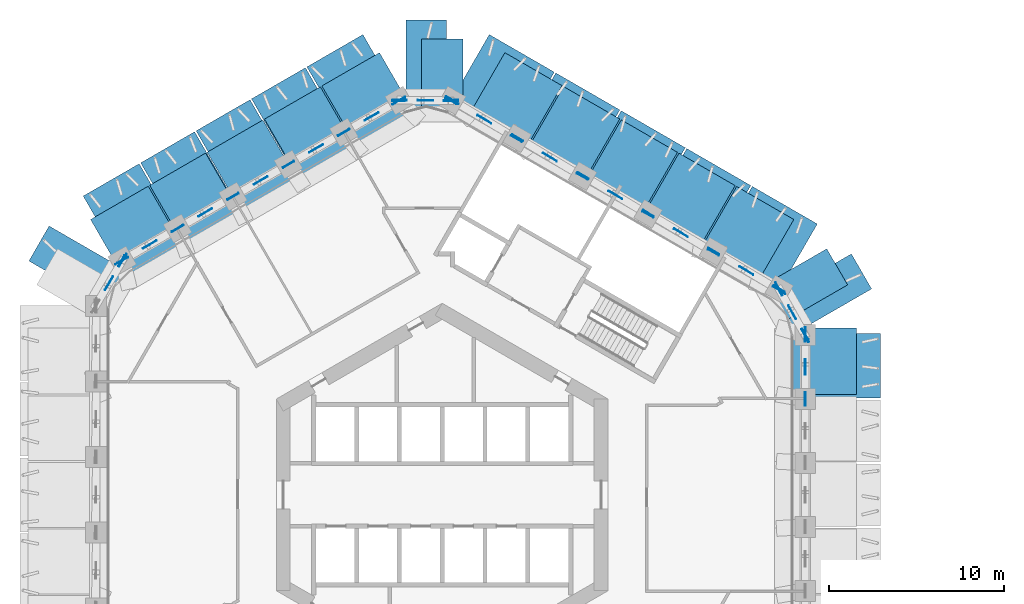
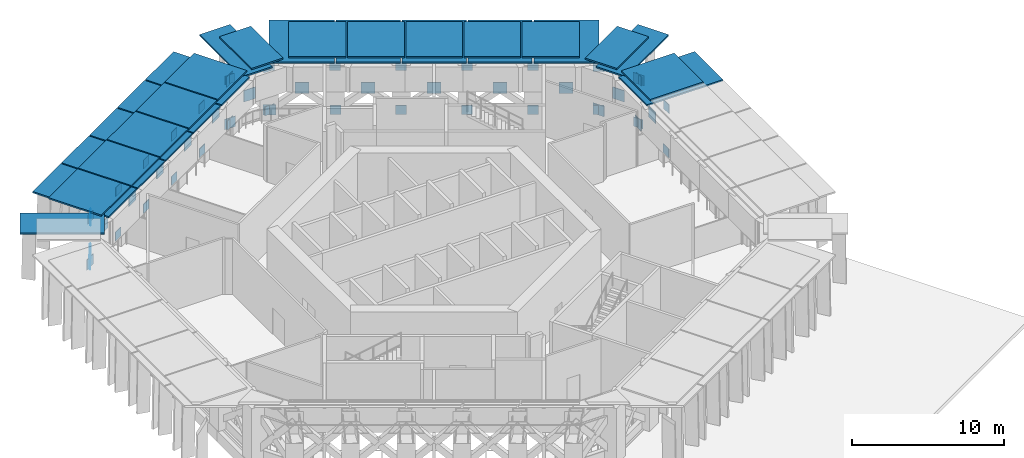
# One storey, part 10 of 16: 79 discrete accessories.
"""IFC4 building model written with IfcOpenShell, lengths in metres."""

import ifcopenshell
import ifcopenshell.guid

model = None  # the IFC model being written
_history = None  # IfcOwnerHistory: only IFC2X3 demands one
_inside = {}  # id of a spatial element -> (the spatial element, [elements in it])
_under = {}  # id of a project, library or spatial element -> (it, [spatial elements below it])
_declared = {}  # id of a project -> (the project, [libraries it declares])
_typed = {}  # id of a type object -> (the type object, [elements of that type])
_made_of = {}  # id of a material, layer set ... -> (it, [elements and type objects made of it])


def new_model(schema):
    """Start an empty IFC model of exactly this schema.

    Asked for "IFC4X3", IfcOpenShell would pick the latest addendum, in which some entities
    have other attributes; the version numbers below select the first issue.
    IFC2X3 requires an IfcOwnerHistory on every rooted entity: one is made here for all.
    """
    global model, _history
    if schema == "IFC4X3":
        model = ifcopenshell.file(schema_version=(4, 3, 0, 0))
    else:
        model = ifcopenshell.file(schema=schema)
    _inside.clear()
    _under.clear()
    _declared.clear()
    _typed.clear()
    _made_of.clear()
    _history = None
    if model.schema == "IFC2X3":
        org = make("IfcOrganization", Name="unknown")
        user = make(
            "IfcPersonAndOrganization",
            ThePerson=make("IfcPerson", FamilyName="unknown"),
            TheOrganization=org,
        )
        app = make(
            "IfcApplication",
            ApplicationDeveloper=org,
            Version="unknown",
            ApplicationFullName="unknown",
            ApplicationIdentifier="unknown",
        )
        _history = make(
            "IfcOwnerHistory",
            OwningUser=user,
            OwningApplication=app,
            ChangeAction="ADDED",
            CreationDate=0,
        )
    return model


def make(cls, **values):
    """One entity of the class cls with the attributes given. An attribute that is None is left unset."""
    return model.create_entity(
        cls, **{name: value for name, value in values.items() if value is not None}
    )


def rooted(cls, **values):
    """An entity with a GlobalId (a new one), such as an element, a storey or a relation."""
    return make(cls, GlobalId=ifcopenshell.guid.new(), OwnerHistory=_history, **values)


def si_unit(unit_type, name, prefix=None):
    """IfcSIUnit, for example si_unit("LENGTHUNIT", "METRE", prefix="MILLI")."""
    return make("IfcSIUnit", UnitType=unit_type, Prefix=prefix, Name=name)


def assignment(units):
    """IfcUnitAssignment: the units of a project."""
    return None if units is None else make("IfcUnitAssignment", Units=units)


def point(xyz):
    """IfcCartesianPoint."""
    return None if xyz is None else make("IfcCartesianPoint", Coordinates=xyz)


def direction(xyz):
    """IfcDirection."""
    return None if xyz is None else make("IfcDirection", DirectionRatios=xyz)


def frame(location, z_axis=None, x_axis=None):
    """IfcAxis2Placement3D, a coordinate frame: its origin and axes. An axis left out is left unset."""
    return make(
        "IfcAxis2Placement3D",
        Location=point(location),
        Axis=direction(z_axis),
        RefDirection=direction(x_axis),
    )


def frame_2d(location, x_axis=None):
    """IfcAxis2Placement2D, a coordinate frame in the plane: its origin and x axis."""
    return make(
        "IfcAxis2Placement2D", Location=point(location), RefDirection=direction(x_axis)
    )


def origin():
    """The frame at (0, 0, 0) with its axes left unset."""
    return frame((0.0, 0.0, 0.0))


def origin_2d():
    """The frame at (0, 0) in the plane with its x axis left unset."""
    return frame_2d((0.0, 0.0))


def place(relative_to, where):
    """IfcLocalPlacement: puts the frame where relative to a parent placement (None: the world)."""
    return make(
        "IfcLocalPlacement", PlacementRelTo=relative_to, RelativePlacement=where
    )


def context(
    kind, dimensions, precision=None, world=None, true_north=None, identifier=None
):
    """IfcGeometricRepresentationContext, for example the 3D "Model" context."""
    return make(
        "IfcGeometricRepresentationContext",
        ContextIdentifier=identifier,
        ContextType=kind,
        CoordinateSpaceDimension=dimensions,
        Precision=precision,
        WorldCoordinateSystem=world,
        TrueNorth=true_north,
    )


def subcontext(parent, identifier, kind, view, scale=None):
    """IfcGeometricRepresentationSubContext, for example "Body" below "Model"."""
    return make(
        "IfcGeometricRepresentationSubContext",
        ContextIdentifier=identifier,
        ContextType=kind,
        ParentContext=parent,
        TargetScale=scale,
        TargetView=view,
    )


def project(units=None, contexts=None):
    """IfcProject with its units and contexts."""
    return rooted(
        "IfcProject",
        Name="project",
        RepresentationContexts=contexts,
        UnitsInContext=assignment(units),
    )


def spatial(cls, under=None, at=None, **own):
    """A site, building, storey or space (cls), placed at a placement, below another one or the project."""
    s = rooted(cls, ObjectPlacement=at, **own)
    if under is not None:
        _under.setdefault(under.id(), (under, []))[1].append(s)
    return s


def profile(cls, at=None, kind="AREA", **sizes):
    """A parametric profile (cls). Its sizes go by their IFC names, for example OverallWidth=200.0."""
    return make(cls, ProfileType=kind, Position=at, **sizes)


def rectangle(**sizes):
    """IfcRectangleProfileDef."""
    return profile("IfcRectangleProfileDef", **sizes)


def extrude(swept, where, along, depth):
    """IfcExtrudedAreaSolid: the profile swept, set in the frame where, extruded along a direction by depth."""
    return make(
        "IfcExtrudedAreaSolid",
        SweptArea=swept,
        Position=where,
        ExtrudedDirection=direction(along),
        Depth=depth,
    )


def shape(context_of_items, identifier, shape_type, items):
    """IfcShapeRepresentation: the items that make up one representation, for example the "Body"."""
    return make(
        "IfcShapeRepresentation",
        ContextOfItems=context_of_items,
        RepresentationIdentifier=identifier,
        RepresentationType=shape_type,
        Items=items,
    )


def material(Name=None, Category=None):
    """IfcMaterial."""
    return make("IfcMaterial", Name=Name, Category=Category)


def layer(
    of_material, thickness, ventilated=None, Name=None, Category=None, Priority=None
):
    """IfcMaterialLayer: one layer of a wall or slab, of a material (None: an air gap)."""
    return make(
        "IfcMaterialLayer",
        Material=of_material,
        LayerThickness=thickness,
        IsVentilated=ventilated,
        Name=Name,
        Category=Category,
        Priority=Priority,
    )


def layer_set(layers, Name=None):
    """IfcMaterialLayerSet."""
    return make("IfcMaterialLayerSet", MaterialLayers=layers, LayerSetName=Name)


def made_of(thing, what):
    """Note that an element or type object is made of a material, layer set ...; save() writes the relation."""
    if what is not None:
        _made_of.setdefault(what.id(), (what, []))[1].append(thing)
    return thing


def type_object(cls, material=None, **own):
    """A type object (cls), such as IfcWallType, which elements share."""
    return made_of(rooted(cls, **own), material)


def element(
    cls,
    number,
    at=None,
    inside=None,
    cuts=None,
    type_object=None,
    material=None,
    context=None,
    identifier="Body",
    shape_type=None,
    held_by="IfcProductDefinitionShape",
    body=None,
    shapes=None,
    **own,
):
    """One element of the class cls, such as IfcWall. Its Tag is "e" and its number.

    at: its placement. inside: the storey or other place that contains it. cuts: it is an
    opening in that element (IfcRelVoidsElement). A single representation is given by context,
    identifier, shape_type and body (its items); several are given by shapes. held_by: the class
    of the entity that holds the representations. save() writes the other relations.
    """
    e = rooted(cls, Tag="e%d" % number, ObjectPlacement=at, **own)
    if body is not None:
        shapes = [shape(context, identifier, shape_type, body)]
    if shapes is not None:
        e.Representation = make(held_by, Representations=shapes)
    if inside is not None:
        _inside.setdefault(inside.id(), (inside, []))[1].append(e)
    if cuts is not None:
        rooted(
            "IfcRelVoidsElement", RelatingBuildingElement=cuts, RelatedOpeningElement=e
        )
    if type_object is not None:
        _typed.setdefault(type_object.id(), (type_object, []))[1].append(e)
    return made_of(e, material)


def aggregate(whole, parts):
    """IfcRelAggregates: a whole, such as a stair, and the parts it consists of."""
    return rooted("IfcRelAggregates", RelatingObject=whole, RelatedObjects=parts)


def save(model, path):
    """Write the relations noted so far, then the file.

    IfcRelAggregates (storeys below a building ...), IfcRelContainedInSpatialStructure (elements
    in a storey), IfcRelDefinesByType, IfcRelAssociatesMaterial and IfcRelDeclares: one each for
    every whole, place, type object, material and project.
    """
    for whole, parts in _under.values():
        aggregate(whole, parts)
    for where, things in _inside.values():
        rooted(
            "IfcRelContainedInSpatialStructure",
            RelatedElements=things,
            RelatingStructure=where,
        )
    for kind, things in _typed.values():
        rooted("IfcRelDefinesByType", RelatedObjects=things, RelatingType=kind)
    for what, things in _made_of.values():
        rooted("IfcRelAssociatesMaterial", RelatedObjects=things, RelatingMaterial=what)
    for by, libraries in _declared.values():
        rooted("IfcRelDeclares", RelatingContext=by, RelatedDefinitions=libraries)
    model.write(path)


model = new_model("IFC4")

# Units and contexts
model_context = context("Model", 3, precision=1e-05, world=origin(), true_north=direction((0.0, 1.0)))
body_context = subcontext(model_context, "Body", "Model", "MODEL_VIEW")
ifc_project = project(units=[si_unit("LENGTHUNIT", "METRE"), si_unit("AREAUNIT", "SQUARE_METRE"), si_unit("VOLUMEUNIT", "CUBIC_METRE"), si_unit("PLANEANGLEUNIT", "RADIAN"), si_unit("MASSUNIT", "GRAM", prefix="KILO")], contexts=[model_context])

# Site, building, storey
site_placement = place(None, origin())
site = spatial("IfcSite", under=ifc_project, at=site_placement, CompositionType="ELEMENT")
building_placement = place(site_placement, origin())
building = spatial("IfcBuilding", under=site, at=building_placement, Name="Ayvan Gate Tower", CompositionType="ELEMENT")
storey_placement = place(building_placement, frame((0.0, 0.0, 78.300048828125)))
storey = spatial("IfcBuildingStorey", under=building, at=storey_placement, Name="L20", CompositionType="ELEMENT", Elevation=78.300048828125)

# Discrete accessories
ifc_material_1 = material(Name="Stainless steel 316", Category="steel")
ifc_layer_1 = layer(ifc_material_1, 0.1201171875)
ifc_layer_set_1 = layer_set([ifc_layer_1], Name="Stainless steel 316")
discrete_accessory_type_1 = type_object("IfcDiscreteAccessoryType", Name="Fin carrier bracket", PredefinedType="BRACKET", material=ifc_layer_set_1)
discrete_accessory_1_placement = place(storey_placement, frame((-17.47802734375, 14.982666015625, 4.679931640625), z_axis=(0.0, 0.0, 1.0), x_axis=(-0.866025403784, -0.5, 0.0)))
element("IfcDiscreteAccessory", 1, at=discrete_accessory_1_placement, inside=storey, type_object=discrete_accessory_type_1, Name="Fin carrier 206", PredefinedType="BRACKET", context=body_context, shape_type="SweptSolid", body=[
    extrude(rectangle(XDim=3.810546875, YDim=4.007568359375, at=origin_2d()), origin(), (0.0, 0.0, 1.0), 0.1201171875),
])
discrete_accessory_2_placement = place(storey_placement, frame((-14.142333984375, 16.908447265625, 4.679931640625), z_axis=(0.0, 0.0, 1.0), x_axis=(-0.866025403784, -0.5, 0.0)))
element("IfcDiscreteAccessory", 2, at=discrete_accessory_2_placement, inside=storey, type_object=discrete_accessory_type_1, Name="Fin carrier 267", PredefinedType="BRACKET", context=body_context, shape_type="SweptSolid", body=[
    extrude(rectangle(XDim=3.693115234375, YDim=4.007568359375, at=origin_2d()), origin(), (0.0, 0.0, 1.0), 0.1201171875),
])
discrete_accessory_3_placement = place(storey_placement, frame((-10.85693359375, 18.80517578125, 4.679931640625), z_axis=(0.0, 0.0, 1.0), x_axis=(-0.866025403784, -0.5, 0.0)))
element("IfcDiscreteAccessory", 3, at=discrete_accessory_3_placement, inside=storey, type_object=discrete_accessory_type_1, Name="Fin carrier 335", PredefinedType="BRACKET", context=body_context, shape_type="SweptSolid", body=[
    extrude(rectangle(XDim=3.694091796875, YDim=4.007568359375, at=origin_2d()), origin(), (0.0, 0.0, 1.0), 0.1201171875),
])
discrete_accessory_4_placement = place(storey_placement, frame((-7.57177734375, 20.7021484375, 4.679931640625), z_axis=(0.0, 0.0, 1.0), x_axis=(-0.866025403784, -0.5, 0.0)))
element("IfcDiscreteAccessory", 4, at=discrete_accessory_4_placement, inside=storey, type_object=discrete_accessory_type_1, Name="Fin carrier 406", PredefinedType="BRACKET", context=body_context, shape_type="SweptSolid", body=[
    extrude(rectangle(XDim=3.693115234375, YDim=4.007568359375, at=origin_2d()), origin(), (0.0, 0.0, 1.0), 0.1201171875),
])
discrete_accessory_5_placement = place(storey_placement, frame((-4.236083984375, 22.627685546875, 4.679931640625), z_axis=(0.0, 0.0, 1.0), x_axis=(-0.866025403784, -0.5, 0.0)))
element("IfcDiscreteAccessory", 5, at=discrete_accessory_5_placement, inside=storey, type_object=discrete_accessory_type_1, Name="Fin carrier 476", PredefinedType="BRACKET", context=body_context, shape_type="SweptSolid", body=[
    extrude(rectangle(XDim=3.81005859375, YDim=4.007568359375, at=origin_2d()), origin(), (0.0, 0.0, 1.0), 0.1201171875),
])
discrete_accessory_6_placement = place(storey_placement, frame((0.0, 24.0107421875, 4.679931640625), z_axis=(0.0, 0.0, 1.0), x_axis=(-1.0, 0.0, 0.0)))
element("IfcDiscreteAccessory", 6, at=discrete_accessory_6_placement, inside=storey, type_object=discrete_accessory_type_1, Name="Fin carrier 537", PredefinedType="BRACKET", context=body_context, shape_type="SweptSolid", body=[
    extrude(rectangle(XDim=2.386474609375, YDim=4.201171875, at=origin_2d()), origin(), (0.0, 0.0, 1.0), 0.1201171875),
])
discrete_accessory_7_placement = place(storey_placement, frame((4.222900390625, 22.635498046875, 4.679931640625), z_axis=(0.0, 0.0, 1.0), x_axis=(-0.866025403784, 0.5, 0.0)))
element("IfcDiscreteAccessory", 7, at=discrete_accessory_7_placement, inside=storey, type_object=discrete_accessory_type_1, Name="Fin carrier 596", PredefinedType="BRACKET", context=body_context, shape_type="SweptSolid", body=[
    extrude(rectangle(XDim=3.779541015625, YDim=4.007568359375, at=origin_2d()), origin(), (0.0, 0.0, 1.0), 0.1201171875),
])
for number, where, z_axis, x_axis, name in (
    (8, (7.554443359375, 20.712158203125, 4.679931640625), (0.0, 0.0, 1.0), (-0.866025403784, 0.5, 0.0), "Fin carrier 656"),
    (9, (10.857421875, 18.804931640625, 4.679931640625), (0.0, 0.0, 1.0), (-0.866025403784, 0.5, 0.0), "Fin carrier 709"),
    (10, (14.160400390625, 16.89794921875, 4.679931640625), (0.0, 0.0, 1.0), (-0.866025403784, 0.5, 0.0), "Fin carrier 769"),
):
    element("IfcDiscreteAccessory", number, at=place(storey_placement, frame(where, z_axis=z_axis, x_axis=x_axis)), inside=storey, type_object=discrete_accessory_type_1, Name=name, PredefinedType="BRACKET", context=body_context, shape_type="SweptSolid", body=[
        extrude(rectangle(XDim=3.714111328125, YDim=4.007568359375, at=origin_2d()), origin(), (0.0, 0.0, 1.0), 0.1201171875),
    ])
discrete_accessory_8_placement = place(storey_placement, frame((17.491455078125, 14.974853515625, 4.679931640625), z_axis=(0.0, 0.0, 1.0), x_axis=(-0.866025403784, 0.5, 0.0)))
element("IfcDiscreteAccessory", 11, at=discrete_accessory_8_placement, inside=storey, type_object=discrete_accessory_type_1, Name="Fin carrier 829", PredefinedType="BRACKET", context=body_context, shape_type="SweptSolid", body=[
    extrude(rectangle(XDim=3.779052734375, YDim=4.007568359375, at=origin_2d()), origin(), (0.0, 0.0, 1.0), 0.1201171875),
])
discrete_accessory_9_placement = place(storey_placement, frame((20.7939453125, 12.00537109375, 4.679931640625), z_axis=(0.0, 0.0, 1.0), x_axis=(-0.5, 0.866025403784, 0.0)))
element("IfcDiscreteAccessory", 12, at=discrete_accessory_9_placement, inside=storey, type_object=discrete_accessory_type_1, Name="Fin carrier 958", PredefinedType="BRACKET", context=body_context, shape_type="SweptSolid", body=[
    extrude(rectangle(XDim=2.386474609375, YDim=4.201171875, at=origin_2d()), origin(), (0.0, 0.0, 1.0), 0.1201171875),
])
discrete_accessory_10_placement = place(storey_placement, frame((21.71435546875, 7.64501953125, 4.679931640625), z_axis=(0.0, 0.0, 1.0), x_axis=(0.0, 1.0, 0.0)))
element("IfcDiscreteAccessory", 13, at=discrete_accessory_10_placement, inside=storey, type_object=discrete_accessory_type_1, Name="Fin carrier 986", PredefinedType="BRACKET", context=body_context, shape_type="SweptSolid", body=[
    extrude(rectangle(XDim=3.810546875, YDim=4.007568359375, at=origin_2d()), origin(), (0.0, 0.0, 1.0), 0.1201171875),
])
discrete_accessory_11_placement = place(storey_placement, frame((-20.681396484375, 13.004638671875, 4.5), z_axis=(0.0, 0.0, 1.0), x_axis=(-0.5, -0.866025403784, 0.0)))
element("IfcDiscreteAccessory", 14, at=discrete_accessory_11_placement, inside=storey, type_object=discrete_accessory_type_1, Name="Fin carrier 1035", PredefinedType="BRACKET", context=body_context, shape_type="SweptSolid", body=[
    extrude(rectangle(XDim=2.314453125, YDim=5.5478515625, at=origin_2d()), origin(), (0.0, 0.0, 1.0), 0.1201171875),
])
discrete_accessory_12_placement = place(storey_placement, frame((-17.51171875, 15.5400390625, 4.5), z_axis=(0.0, 0.0, 1.0), x_axis=(-0.866025403784, -0.5, 0.0)))
element("IfcDiscreteAccessory", 15, at=discrete_accessory_12_placement, inside=storey, type_object=discrete_accessory_type_1, Name="Fin carrier 1051", PredefinedType="BRACKET", context=body_context, shape_type="SweptSolid", body=[
    extrude(rectangle(XDim=3.70068359375, YDim=5.756591796875, at=origin_2d()), origin(), (0.0, 0.0, 1.0), 0.1201171875),
])
discrete_accessory_13_placement = place(storey_placement, frame((-14.27978515625, 17.406005859375, 4.5), z_axis=(0.0, 0.0, 1.0), x_axis=(-0.866025403784, -0.5, 0.0)))
element("IfcDiscreteAccessory", 16, at=discrete_accessory_13_placement, inside=storey, type_object=discrete_accessory_type_1, Name="Fin carrier 1057", PredefinedType="BRACKET", context=body_context, shape_type="SweptSolid", body=[
    extrude(rectangle(XDim=3.56298828125, YDim=5.756591796875, at=origin_2d()), origin(), (0.0, 0.0, 1.0), 0.1201171875),
])
discrete_accessory_14_placement = place(storey_placement, frame((-11.10693359375, 19.23779296875, 4.5), z_axis=(0.0, 0.0, 1.0), x_axis=(-0.866025403784, -0.5, 0.0)))
element("IfcDiscreteAccessory", 17, at=discrete_accessory_14_placement, inside=storey, type_object=discrete_accessory_type_1, Name="Fin carrier 1063", PredefinedType="BRACKET", context=body_context, shape_type="SweptSolid", body=[
    extrude(rectangle(XDim=3.56396484375, YDim=5.756591796875, at=origin_2d()), origin(), (0.0, 0.0, 1.0), 0.1201171875),
])
discrete_accessory_15_placement = place(storey_placement, frame((-7.934326171875, 21.069580078125, 4.5), z_axis=(0.0, 0.0, 1.0), x_axis=(-0.866025403784, -0.5, 0.0)))
element("IfcDiscreteAccessory", 18, at=discrete_accessory_15_placement, inside=storey, type_object=discrete_accessory_type_1, Name="Fin carrier 1069", PredefinedType="BRACKET", context=body_context, shape_type="SweptSolid", body=[
    extrude(rectangle(XDim=3.56298828125, YDim=5.756591796875, at=origin_2d()), origin(), (0.0, 0.0, 1.0), 0.1201171875),
])
discrete_accessory_16_placement = place(storey_placement, frame((-4.702392578125, 22.935546875, 4.5), z_axis=(0.0, 0.0, 1.0), x_axis=(-0.866025403784, -0.5, 0.0)))
element("IfcDiscreteAccessory", 19, at=discrete_accessory_16_placement, inside=storey, type_object=discrete_accessory_type_1, Name="Fin carrier 1077", PredefinedType="BRACKET", context=body_context, shape_type="SweptSolid", body=[
    extrude(rectangle(XDim=3.700927734375, YDim=5.756591796875, at=origin_2d()), origin(), (0.0, 0.0, 1.0), 0.1201171875),
])
discrete_accessory_17_placement = place(storey_placement, frame((-0.921630859375, 24.412841796875, 4.5), z_axis=(0.0, 0.0, 1.0), x_axis=(-1.0, 0.0, 0.0)))
element("IfcDiscreteAccessory", 20, at=discrete_accessory_17_placement, inside=storey, type_object=discrete_accessory_type_1, Name="Fin carrier 1085", PredefinedType="BRACKET", context=body_context, shape_type="SweptSolid", body=[
    extrude(rectangle(XDim=2.314453125, YDim=5.5478515625, at=origin_2d()), origin(), (0.0, 0.0, 1.0), 0.1201171875),
])
discrete_accessory_18_placement = place(storey_placement, frame((3.34814453125, 23.185302734375, 4.5), z_axis=(0.0, 0.0, 1.0), x_axis=(-0.866025403784, 0.5, 0.0)))
element("IfcDiscreteAccessory", 21, at=discrete_accessory_18_placement, inside=storey, type_object=discrete_accessory_type_1, Name="Fin carrier 1091", PredefinedType="BRACKET", context=body_context, shape_type="SweptSolid", body=[
    extrude(rectangle(XDim=4.29833984375, YDim=4.8349609375, at=origin_2d()), origin(), (0.0, 0.0, 1.0), 0.1201171875),
])
for number, where, z_axis, x_axis, name in (
    (22, (7.127197265625, 21.00341796875, 4.5), (0.0, 0.0, 1.0), (-0.866025403784, 0.5, 0.0), "Fin carrier 1097"),
    (23, (10.876220703125, 18.8388671875, 4.5), (0.0, 0.0, 1.0), (-0.866025403784, 0.5, 0.0), "Fin carrier 1103"),
    (24, (14.625244140625, 16.67431640625, 4.5), (0.0, 0.0, 1.0), (-0.866025403784, 0.5, 0.0), "Fin carrier 1109"),
):
    element("IfcDiscreteAccessory", number, at=place(storey_placement, frame(where, z_axis=z_axis, x_axis=x_axis)), inside=storey, type_object=discrete_accessory_type_1, Name=name, PredefinedType="BRACKET", context=body_context, shape_type="SweptSolid", body=[
        extrude(rectangle(XDim=4.22900390625, YDim=4.8349609375, at=origin_2d()), origin(), (0.0, 0.0, 1.0), 0.1201171875),
    ])
discrete_accessory_19_placement = place(storey_placement, frame((18.404541015625, 14.492431640625, 4.5), z_axis=(0.0, 0.0, 1.0), x_axis=(-0.866025403784, 0.5, 0.0)))
element("IfcDiscreteAccessory", 25, at=discrete_accessory_19_placement, inside=storey, type_object=discrete_accessory_type_1, Name="Fin carrier 1117", PredefinedType="BRACKET", context=body_context, shape_type="SweptSolid", body=[
    extrude(rectangle(XDim=4.299072265625, YDim=4.8349609375, at=origin_2d()), origin(), (0.0, 0.0, 1.0), 0.1201171875),
])
discrete_accessory_20_placement = place(storey_placement, frame((21.60302734375, 11.408203125, 4.5), z_axis=(0.0, 0.0, 1.0), x_axis=(-0.5, 0.866025403784, 0.0)))
element("IfcDiscreteAccessory", 26, at=discrete_accessory_20_placement, inside=storey, type_object=discrete_accessory_type_1, Name="Fin carrier 1131", PredefinedType="BRACKET", context=body_context, shape_type="SweptSolid", body=[
    extrude(rectangle(XDim=2.314453125, YDim=5.5478515625, at=origin_2d()), origin(), (0.0, 0.0, 1.0), 0.1201171875),
])
discrete_accessory_21_placement = place(storey_placement, frame((22.2138671875, 7.3955078125, 4.5), z_axis=(0.0, 0.0, 1.0), x_axis=(0.0, 1.0, 0.0)))
element("IfcDiscreteAccessory", 27, at=discrete_accessory_21_placement, inside=storey, type_object=discrete_accessory_type_1, Name="Fin carrier 1136", PredefinedType="BRACKET", context=body_context, shape_type="SweptSolid", body=[
    extrude(rectangle(XDim=3.70068359375, YDim=5.756591796875, at=origin_2d()), origin(), (0.0, 0.0, 1.0), 0.1201171875),
])
ifc_material_2 = material(Name="Steel S460ML", Category="steel")
ifc_layer_2 = layer(ifc_material_2, 0.044921875)
ifc_layer_set_2 = layer_set([ifc_layer_2], Name="Steel S460ML")
discrete_accessory_type_2 = type_object("IfcDiscreteAccessoryType", Name="Gusset plate 45 mm", PredefinedType="BRACKET", material=ifc_layer_set_2)
for number, where, z_axis, x_axis, name in (
    (28, (4.263916015625, 20.3935546875, 3.64013671875), (0.0, 0.0, 1.0), (-0.873070193792, 0.487594541306, 0.0), "Gusset plate BT1-DA-10"),
    (29, (0.508544921875, 22.5615234375, 3.64013671875), (0.0, 0.0, 1.0), (-0.873047215471, 0.487635683228, 0.0), "Gusset plate BT1-DA-11"),
    (30, (0.570556640625, 22.597412109375, 0.08984375), (0.0, 0.0, 1.0), (0.999931751798, 0.011682968225, 0.0), "Gusset plate BT1-DA-12"),
    (31, (-2.491455078125, 22.5615234375, 3.64013671875), (0.0, 0.0, 1.0), (0.999931751798, 0.011682968225, 0.0), "Gusset plate BT1-DA-12"),
    (32, (-2.429443359375, 22.597412109375, 0.08984375), (0.0, 0.0, 1.0), (0.866025403784, 0.5, 0.0), "Gusset plate BT1-DA-13"),
    (33, (-5.65185546875, 20.73681640625, 3.64013671875), (0.0, 0.0, 1.0), (0.866025403784, 0.5, 0.0), "Gusset plate BT1-DA-13"),
    (34, (-8.81201171875, 18.912353515625, 3.64013671875), (0.0, 0.0, 1.0), (0.866025403784, 0.5, 0.0), "Gusset plate BT1-DA-14"),
    (35, (-11.972412109375, 17.087646484375, 3.64013671875), (0.0, 0.0, 1.0), (0.866025403784, 0.5, 0.0), "Gusset plate BT1-DA-15"),
    (36, (-15.1328125, 15.26318359375, 3.64013671875), (0.0, 0.0, 1.0), (0.866025403784, 0.5, 0.0), "Gusset plate BT1-DA-16"),
    (37, (-18.293212890625, 13.4384765625, 3.64013671875), (0.0, 0.0, 1.0), (0.866025403784, 0.5, 0.0), "Gusset plate BT1-DA-17"),
    (38, (-18.35498046875, 13.402587890625, 0.08984375), (0.0, 0.0, 1.0), (0.489418980472, 0.872048772463, 0.0), "Gusset plate BT1-DA-18"),
    (39, (20.78466796875, 5.473876953125, 3.64013671875), (0.0, 0.0, 1.0), (0.0, 1.0, 0.0), "Gusset plate BT1-DA-4"),
    (40, (20.78466796875, 9.123046875, 3.64013671875), (0.0, 0.0, 1.0), (0.0, 1.0, 0.0), "Gusset plate BT1-DA-5"),
    (41, (20.78466796875, 9.194580078125, 0.08984375), (0.0, 0.0, 1.0), (-0.510506900056, 0.859873656414, 0.0), "Gusset plate BT1-DA-6"),
    (42, (19.28466796875, 11.72119140625, 3.64013671875), (0.0, 0.0, 1.0), (-0.510506900056, 0.859873656414, 0.0), "Gusset plate BT1-DA-6"),
    (43, (19.28466796875, 11.792724609375, 0.08984375), (0.0, 0.0, 1.0), (-0.873139117122, 0.487471109043, 0.0), "Gusset plate BT1-DA-7"),
    (44, (15.529296875, 13.889404296875, 3.64013671875), (0.0, 0.0, 1.0), (-0.873139117122, 0.487471109043, 0.0), "Gusset plate BT1-DA-7"),
    (45, (11.774169921875, 16.057373046875, 3.64013671875), (0.0, 0.0, 1.0), (-0.873116144617, 0.487512254214, 0.0), "Gusset plate BT1-DA-8"),
    (46, (8.01904296875, 18.225341796875, 3.64013671875), (0.0, 0.0, 1.0), (-0.873093170174, 0.487553398301, 0.0), "Gusset plate BT1-DA-9"),
    (47, (4.313232421875, 20.436279296875, 0.08984375), (0.0, 0.0, 1.0), (-0.858756069114, 0.512384634586, 0.0), "Gusset plate BT1-DB-10"),
):
    element("IfcDiscreteAccessory", number, at=place(storey_placement, frame(where, z_axis=z_axis, x_axis=x_axis)), inside=storey, type_object=discrete_accessory_type_2, Name=name, PredefinedType="BRACKET", context=body_context, shape_type="SweptSolid", body=[
        extrude(rectangle(XDim=0.719970703125, YDim=0.044921875, at=origin_2d()), origin(), (0.0, 0.0, 1.0), 0.719970703125),
    ])
discrete_accessory_22_placement = place(storey_placement, frame((6.1630859375, 19.332763671875, 1.77978515625), z_axis=(0.0, 0.0, 1.0), x_axis=(-0.858756069114, 0.512384634586, 0.0)))
element("IfcDiscreteAccessory", 48, at=discrete_accessory_22_placement, inside=storey, type_object=discrete_accessory_type_2, Name="Gusset plate BT1-DB-10", PredefinedType="BRACKET", context=body_context, shape_type="SweptSolid", body=[
    extrude(rectangle(XDim=0.919921875, YDim=0.044921875, at=origin_2d()), origin(), (0.0, 0.0, 1.0), 0.884521484375),
])
discrete_accessory_23_placement = place(storey_placement, frame((0.570556640625, 22.597412109375, 0.0361328125), z_axis=(0.0, 0.0, 1.0), x_axis=(-0.858731922603, 0.512425101944, 0.0)))
element("IfcDiscreteAccessory", 49, at=discrete_accessory_23_placement, inside=storey, type_object=discrete_accessory_type_2, Name="Gusset plate BT1-DB-11", PredefinedType="BRACKET", context=body_context, shape_type="SweptSolid", body=[
    extrude(rectangle(XDim=0.827880859375, YDim=0.044921875, at=origin_2d()), origin(), (0.0, 0.0, 1.0), 0.827880859375),
])
discrete_accessory_24_placement = place(storey_placement, frame((2.4140625, 21.497314453125, 1.77978515625), z_axis=(0.0, 0.0, 1.0), x_axis=(-0.858731922603, 0.512425101944, 0.0)))
element("IfcDiscreteAccessory", 50, at=discrete_accessory_24_placement, inside=storey, type_object=discrete_accessory_type_2, Name="Gusset plate BT1-DB-11", PredefinedType="BRACKET", context=body_context, shape_type="SweptSolid", body=[
    extrude(rectangle(XDim=0.919677734375, YDim=0.044921875, at=origin_2d()), origin(), (0.0, 0.0, 1.0), 0.884765625),
])
discrete_accessory_25_placement = place(storey_placement, frame((-2.429443359375, 22.597412109375, 0.0361328125), z_axis=(0.0, 0.0, 1.0), x_axis=(-0.999925880528, 0.012175116049, 0.0)))
element("IfcDiscreteAccessory", 51, at=discrete_accessory_25_placement, inside=storey, type_object=discrete_accessory_type_2, Name="Gusset plate BT1-DB-12", PredefinedType="BRACKET", context=body_context, shape_type="SweptSolid", body=[
    extrude(rectangle(XDim=0.827880859375, YDim=0.044921875, at=origin_2d()), origin(), (0.0, 0.0, 1.0), 0.827880859375),
])
discrete_accessory_26_placement = place(storey_placement, frame((-0.96044921875, 22.579345703125, 1.76611328125), z_axis=(0.0, 0.0, 1.0), x_axis=(-0.999925880528, 0.012175116049, 0.0)))
element("IfcDiscreteAccessory", 52, at=discrete_accessory_26_placement, inside=storey, type_object=discrete_accessory_type_2, Name="Gusset plate BT1-DB-12", PredefinedType="BRACKET", context=body_context, shape_type="SweptSolid", body=[
    extrude(rectangle(XDim=0.883544921875, YDim=0.044921875, at=origin_2d()), origin(), (0.0, 0.0, 1.0), 0.91748046875),
])
discrete_accessory_27_placement = place(storey_placement, frame((-5.614501953125, 20.75830078125, 0.08984375), z_axis=(0.0, 0.0, 1.0), x_axis=(0.866025403784, 0.5, 0.0)))
element("IfcDiscreteAccessory", 53, at=discrete_accessory_27_placement, inside=storey, type_object=discrete_accessory_type_2, Name="Gusset plate BT1-DB-13", PredefinedType="BRACKET", context=body_context, shape_type="SweptSolid", body=[
    extrude(rectangle(XDim=0.719970703125, YDim=0.044921875, at=origin_2d()), origin(), (0.0, 0.0, 1.0), 0.719970703125),
])
discrete_accessory_28_placement = place(storey_placement, frame((-4.046875, 21.66357421875, 1.7841796875), z_axis=(0.0, 0.0, 1.0), x_axis=(0.866025403784, 0.5, 0.0)))
element("IfcDiscreteAccessory", 54, at=discrete_accessory_28_placement, inside=storey, type_object=discrete_accessory_type_2, Name="Gusset plate BT1-DB-13", PredefinedType="BRACKET", context=body_context, shape_type="SweptSolid", body=[
    extrude(rectangle(XDim=0.898193359375, YDim=0.044921875, at=origin_2d()), origin(), (0.0, 0.0, 1.0), 0.8955078125),
])
discrete_accessory_29_placement = place(storey_placement, frame((-8.7998046875, 18.91943359375, 0.08984375), z_axis=(0.0, 0.0, 1.0), x_axis=(0.866025403784, 0.5, 0.0)))
element("IfcDiscreteAccessory", 55, at=discrete_accessory_29_placement, inside=storey, type_object=discrete_accessory_type_2, Name="Gusset plate BT1-DB-14", PredefinedType="BRACKET", context=body_context, shape_type="SweptSolid", body=[
    extrude(rectangle(XDim=0.719970703125, YDim=0.044921875, at=origin_2d()), origin(), (0.0, 0.0, 1.0), 0.719970703125),
])
discrete_accessory_30_placement = place(storey_placement, frame((-7.219482421875, 19.831787109375, 1.78466796875), z_axis=(0.0, 0.0, 1.0), x_axis=(0.866025403784, 0.5, 0.0)))
element("IfcDiscreteAccessory", 56, at=discrete_accessory_30_placement, inside=storey, type_object=discrete_accessory_type_2, Name="Gusset plate BT1-DB-14", PredefinedType="BRACKET", context=body_context, shape_type="SweptSolid", body=[
    extrude(rectangle(XDim=0.89892578125, YDim=0.044921875, at=origin_2d()), origin(), (0.0, 0.0, 1.0), 0.894775390625),
])
discrete_accessory_31_placement = place(storey_placement, frame((-11.98486328125, 17.08056640625, 0.08984375), z_axis=(0.0, 0.0, 1.0), x_axis=(0.866025403784, 0.5, 0.0)))
element("IfcDiscreteAccessory", 57, at=discrete_accessory_31_placement, inside=storey, type_object=discrete_accessory_type_2, Name="Gusset plate BT1-DB-15", PredefinedType="BRACKET", context=body_context, shape_type="SweptSolid", body=[
    extrude(rectangle(XDim=0.719970703125, YDim=0.044921875, at=origin_2d()), origin(), (0.0, 0.0, 1.0), 0.719970703125),
])
discrete_accessory_32_placement = place(storey_placement, frame((-10.392333984375, 18.0, 1.784912109375), z_axis=(0.0, 0.0, 1.0), x_axis=(0.866025403784, 0.5, 0.0)))
element("IfcDiscreteAccessory", 58, at=discrete_accessory_32_placement, inside=storey, type_object=discrete_accessory_type_2, Name="Gusset plate BT1-DB-15", PredefinedType="BRACKET", context=body_context, shape_type="SweptSolid", body=[
    extrude(rectangle(XDim=0.899658203125, YDim=0.044921875, at=origin_2d()), origin(), (0.0, 0.0, 1.0), 0.89404296875),
])
discrete_accessory_33_placement = place(storey_placement, frame((-15.169921875, 15.24169921875, 0.08984375), z_axis=(0.0, 0.0, 1.0), x_axis=(0.866025403784, 0.5, 0.0)))
element("IfcDiscreteAccessory", 59, at=discrete_accessory_33_placement, inside=storey, type_object=discrete_accessory_type_2, Name="Gusset plate BT1-DB-16", PredefinedType="BRACKET", context=body_context, shape_type="SweptSolid", body=[
    extrude(rectangle(XDim=0.719970703125, YDim=0.044921875, at=origin_2d()), origin(), (0.0, 0.0, 1.0), 0.719970703125),
])
discrete_accessory_34_placement = place(storey_placement, frame((-13.56494140625, 16.168212890625, 1.78515625), z_axis=(0.0, 0.0, 1.0), x_axis=(0.866025403784, 0.5, 0.0)))
element("IfcDiscreteAccessory", 60, at=discrete_accessory_34_placement, inside=storey, type_object=discrete_accessory_type_2, Name="Gusset plate BT1-DB-16", PredefinedType="BRACKET", context=body_context, shape_type="SweptSolid", body=[
    extrude(rectangle(XDim=0.900390625, YDim=0.044921875, at=origin_2d()), origin(), (0.0, 0.0, 1.0), 0.893310546875),
])
discrete_accessory_35_placement = place(storey_placement, frame((-18.35498046875, 13.402587890625, 0.0361328125), z_axis=(0.0, 0.0, 1.0), x_axis=(0.866025403784, 0.5, 0.0)))
element("IfcDiscreteAccessory", 61, at=discrete_accessory_35_placement, inside=storey, type_object=discrete_accessory_type_2, Name="Gusset plate BT1-DB-17", PredefinedType="BRACKET", context=body_context, shape_type="SweptSolid", body=[
    extrude(rectangle(XDim=0.827880859375, YDim=0.044921875, at=origin_2d()), origin(), (0.0, 0.0, 1.0), 0.827880859375),
])
discrete_accessory_36_placement = place(storey_placement, frame((-16.73779296875, 14.33642578125, 1.78564453125), z_axis=(0.0, 0.0, 1.0), x_axis=(0.866025403784, 0.5, 0.0)))
element("IfcDiscreteAccessory", 62, at=discrete_accessory_36_placement, inside=storey, type_object=discrete_accessory_type_2, Name="Gusset plate BT1-DB-17", PredefinedType="BRACKET", context=body_context, shape_type="SweptSolid", body=[
    extrude(rectangle(XDim=0.90087890625, YDim=0.044921875, at=origin_2d()), origin(), (0.0, 0.0, 1.0), 0.892578125),
])
discrete_accessory_37_placement = place(storey_placement, frame((-19.07421875, 12.12158203125, 1.767578125), z_axis=(0.0, 0.0, 1.0), x_axis=(0.510083623173, 0.860124814995, 0.0)))
element("IfcDiscreteAccessory", 63, at=discrete_accessory_37_placement, inside=storey, type_object=discrete_accessory_type_2, Name="Gusset plate BT1-DB-18", PredefinedType="BRACKET", context=body_context, shape_type="SweptSolid", body=[
    extrude(rectangle(XDim=0.887451171875, YDim=0.044921875, at=origin_2d()), origin(), (0.0, 0.0, 1.0), 0.914306640625),
])
discrete_accessory_38_placement = place(storey_placement, frame((20.78466796875, 5.516845703125, 0.08984375), z_axis=(0.0, 0.0, 1.0), x_axis=(0.0, 1.0, 0.0)))
element("IfcDiscreteAccessory", 64, at=discrete_accessory_38_placement, inside=storey, type_object=discrete_accessory_type_2, Name="Gusset plate BT1-DB-4", PredefinedType="BRACKET", context=body_context, shape_type="SweptSolid", body=[
    extrude(rectangle(XDim=0.719970703125, YDim=0.044921875, at=origin_2d()), origin(), (0.0, 0.0, 1.0), 0.719970703125),
])
discrete_accessory_39_placement = place(storey_placement, frame((20.78466796875, 9.194580078125, 0.0361328125), z_axis=(0.0, 0.0, 1.0), x_axis=(0.0, 1.0, 0.0)))
element("IfcDiscreteAccessory", 65, at=discrete_accessory_39_placement, inside=storey, type_object=discrete_accessory_type_2, Name="Gusset plate BT1-DB-5", PredefinedType="BRACKET", context=body_context, shape_type="SweptSolid", body=[
    extrude(rectangle(XDim=0.827880859375, YDim=0.044921875, at=origin_2d()), origin(), (0.0, 0.0, 1.0), 0.827880859375),
])
discrete_accessory_40_placement = place(storey_placement, frame((20.78466796875, 7.326904296875, 1.78564453125), z_axis=(0.0, 0.0, 1.0), x_axis=(0.0, 1.0, 0.0)))
element("IfcDiscreteAccessory", 66, at=discrete_accessory_40_placement, inside=storey, type_object=discrete_accessory_type_2, Name="Gusset plate BT1-DB-5", PredefinedType="BRACKET", context=body_context, shape_type="SweptSolid", body=[
    extrude(rectangle(XDim=0.90087890625, YDim=0.044921875, at=origin_2d()), origin(), (0.0, 0.0, 1.0), 0.892578125),
])
discrete_accessory_41_placement = place(storey_placement, frame((19.28466796875, 11.792724609375, 0.0361328125), z_axis=(0.0, 0.0, 1.0), x_axis=(-0.489848128624, 0.87180778322, 0.0)))
element("IfcDiscreteAccessory", 67, at=discrete_accessory_41_placement, inside=storey, type_object=discrete_accessory_type_2, Name="Gusset plate BT1-DB-6", PredefinedType="BRACKET", context=body_context, shape_type="SweptSolid", body=[
    extrude(rectangle(XDim=0.827880859375, YDim=0.044921875, at=origin_2d()), origin(), (0.0, 0.0, 1.0), 0.827880859375),
])
discrete_accessory_42_placement = place(storey_placement, frame((20.03466796875, 10.4580078125, 1.767578125), z_axis=(0.0, 0.0, 1.0), x_axis=(-0.489848128624, 0.87180778322, 0.0)))
element("IfcDiscreteAccessory", 68, at=discrete_accessory_42_placement, inside=storey, type_object=discrete_accessory_type_2, Name="Gusset plate BT1-DB-6", PredefinedType="BRACKET", context=body_context, shape_type="SweptSolid", body=[
    extrude(rectangle(XDim=0.887451171875, YDim=0.044921875, at=origin_2d()), origin(), (0.0, 0.0, 1.0), 0.914306640625),
])
discrete_accessory_43_placement = place(storey_placement, frame((15.541748046875, 13.95361328125, 0.08984375), z_axis=(0.0, 0.0, 1.0), x_axis=(-0.858828497203, 0.512263225687, 0.0)))
element("IfcDiscreteAccessory", 69, at=discrete_accessory_43_placement, inside=storey, type_object=discrete_accessory_type_2, Name="Gusset plate BT1-DB-7", PredefinedType="BRACKET", context=body_context, shape_type="SweptSolid", body=[
    extrude(rectangle(XDim=0.719970703125, YDim=0.044921875, at=origin_2d()), origin(), (0.0, 0.0, 1.0), 0.719970703125),
])
discrete_accessory_44_placement = place(storey_placement, frame((17.41015625, 12.83935546875, 1.7802734375), z_axis=(0.0, 0.0, 1.0), x_axis=(-0.858828497203, 0.512263225687, 0.0)))
element("IfcDiscreteAccessory", 70, at=discrete_accessory_44_placement, inside=storey, type_object=discrete_accessory_type_2, Name="Gusset plate BT1-DB-7", PredefinedType="BRACKET", context=body_context, shape_type="SweptSolid", body=[
    extrude(rectangle(XDim=0.920654296875, YDim=0.044921875, at=origin_2d()), origin(), (0.0, 0.0, 1.0), 0.883544921875),
])
discrete_accessory_45_placement = place(storey_placement, frame((11.799072265625, 16.114501953125, 0.08984375), z_axis=(0.0, 0.0, 1.0), x_axis=(-0.858804356414, 0.512303696458, 0.0)))
element("IfcDiscreteAccessory", 71, at=discrete_accessory_45_placement, inside=storey, type_object=discrete_accessory_type_2, Name="Gusset plate BT1-DB-8", PredefinedType="BRACKET", context=body_context, shape_type="SweptSolid", body=[
    extrude(rectangle(XDim=0.719970703125, YDim=0.044921875, at=origin_2d()), origin(), (0.0, 0.0, 1.0), 0.719970703125),
])
discrete_accessory_46_placement = place(storey_placement, frame((13.6611328125, 15.00390625, 1.7802734375), z_axis=(0.0, 0.0, 1.0), x_axis=(-0.858804356414, 0.512303696458, 0.0)))
element("IfcDiscreteAccessory", 72, at=discrete_accessory_46_placement, inside=storey, type_object=discrete_accessory_type_2, Name="Gusset plate BT1-DB-8", PredefinedType="BRACKET", context=body_context, shape_type="SweptSolid", body=[
    extrude(rectangle(XDim=0.92041015625, YDim=0.044921875, at=origin_2d()), origin(), (0.0, 0.0, 1.0), 0.8837890625),
])
discrete_accessory_47_placement = place(storey_placement, frame((8.05615234375, 18.275390625, 0.08984375), z_axis=(0.0, 0.0, 1.0), x_axis=(-0.858780213717, 0.512344166091, 0.0)))
element("IfcDiscreteAccessory", 73, at=discrete_accessory_47_placement, inside=storey, type_object=discrete_accessory_type_2, Name="Gusset plate BT1-DB-9", PredefinedType="BRACKET", context=body_context, shape_type="SweptSolid", body=[
    extrude(rectangle(XDim=0.719970703125, YDim=0.044921875, at=origin_2d()), origin(), (0.0, 0.0, 1.0), 0.719970703125),
])
discrete_accessory_48_placement = place(storey_placement, frame((9.912109375, 17.168212890625, 1.7802734375), z_axis=(0.0, 0.0, 1.0), x_axis=(-0.858780213717, 0.512344166091, 0.0)))
element("IfcDiscreteAccessory", 74, at=discrete_accessory_48_placement, inside=storey, type_object=discrete_accessory_type_2, Name="Gusset plate BT1-DB-9", PredefinedType="BRACKET", context=body_context, shape_type="SweptSolid", body=[
    extrude(rectangle(XDim=0.920166015625, YDim=0.044921875, at=origin_2d()), origin(), (0.0, 0.0, 1.0), 0.884033203125),
])
for number, where, z_axis, x_axis, name in (
    (75, (0.508544921875, 22.5615234375, 3.5859375), (0.0, 0.0, 1.0), (-0.999925880528, 0.012175116049, 0.0), "Gusset plate BT1-DC-12"),
    (76, (-2.491455078125, 22.5615234375, 3.5859375), (0.0, 0.0, 1.0), (0.866025403784, 0.5, 0.0), "Gusset plate BT1-DC-13"),
    (77, (-18.293212890625, 13.4384765625, 3.5859375), (0.0, 0.0, 1.0), (0.510083623173, 0.860124814995, 0.0), "Gusset plate BT1-DC-18"),
    (78, (20.78466796875, 9.123046875, 3.5859375), (0.0, 0.0, 1.0), (-0.489848128624, 0.87180778322, 0.0), "Gusset plate BT1-DC-6"),
    (79, (19.28466796875, 11.72119140625, 3.5859375), (0.0, 0.0, 1.0), (-0.858828497203, 0.512263225687, 0.0), "Gusset plate BT1-DC-7"),
):
    element("IfcDiscreteAccessory", number, at=place(storey_placement, frame(where, z_axis=z_axis, x_axis=x_axis)), inside=storey, type_object=discrete_accessory_type_2, Name=name, PredefinedType="BRACKET", context=body_context, shape_type="SweptSolid", body=[
        extrude(rectangle(XDim=0.827880859375, YDim=0.044921875, at=origin_2d()), origin(), (0.0, 0.0, 1.0), 0.827880859375),
    ])

save(model, "model.ifc")
